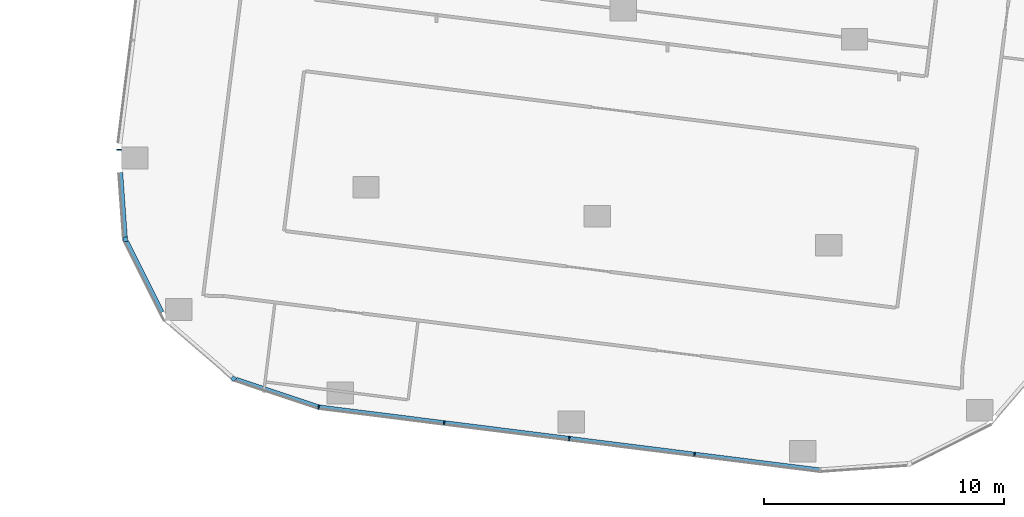
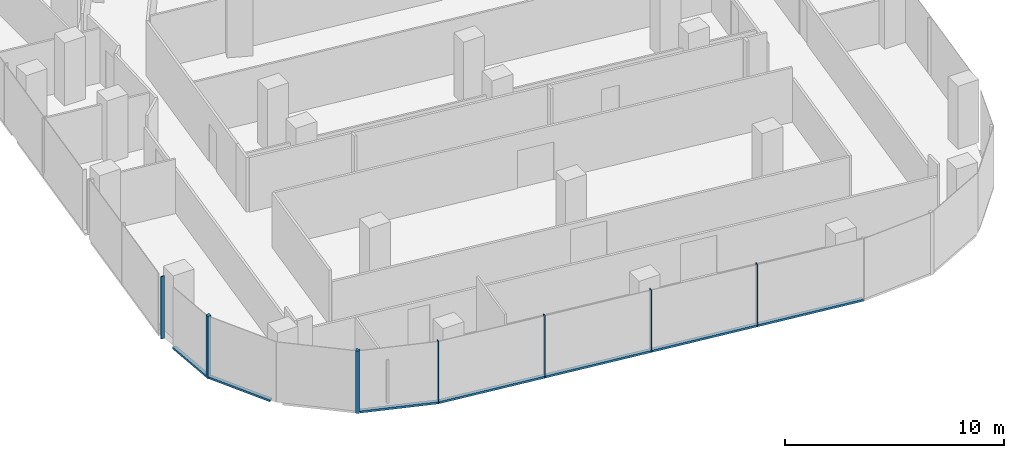
# One storey, part 2 of 27: 11 members, 6 elements without a shape of their own.
"""IFC4 building model written with IfcOpenShell, lengths in metres."""

from ifc_helpers import new_model, si_unit, direction, frame, origin, origin_2d, place, context, subcontext, project, spatial, rectangle, extrude, material, material_profile, profile_set, type_object, element, aggregate, save


model = new_model("IFC4")

# Units and contexts
model_context = context("Model", 3, precision=1e-05, world=origin(), true_north=direction((0.0, 1.0)))
body_context = subcontext(model_context, "Body", "Model", "MODEL_VIEW")
ifc_project = project(units=[si_unit("LENGTHUNIT", "METRE"), si_unit("AREAUNIT", "SQUARE_METRE"), si_unit("VOLUMEUNIT", "CUBIC_METRE"), si_unit("PLANEANGLEUNIT", "RADIAN"), si_unit("MASSUNIT", "GRAM", prefix="KILO")], contexts=[model_context])

# Site, building, storey
site_placement = place(None, origin())
site = spatial("IfcSite", under=ifc_project, at=site_placement, CompositionType="ELEMENT")
building_placement = place(site_placement, origin())
building = spatial("IfcBuilding", under=site, at=building_placement, Name="Orlundy Tower", CompositionType="ELEMENT")
storey_placement = place(building_placement, frame((0.0, 0.0, 199.10009765625)))
storey = spatial("IfcBuildingStorey", under=building, at=storey_placement, Name="L52", CompositionType="ELEMENT", Elevation=199.10009765625)

# Curtain wall, member
ifc_material_1 = material(Name="Aluminium bronze anodised", Category="aluminium")
curtain_wall_type = type_object("IfcCurtainWallType", Name="CW1 wall", PredefinedType="NOTDEFINED", material=ifc_material_1)
curtain_wall_1_placement = place(storey_placement, origin())
curtain_wall_1 = element("IfcCurtainWall", 1, at=curtain_wall_1_placement, inside=storey, type_object=curtain_wall_type, Name="CW1 run 025", PredefinedType="NOTDEFINED")
ifc_material_2 = material(Name="Aluminium bronze anodised", Category="aluminium")
ifc_material_profile_1 = material_profile(ifc_material_2, rectangle(XDim=0.179931640625, YDim=0.179931640625, at=origin_2d()), Name="CW1 corner post 180x180")
ifc_profile_set_1 = profile_set([ifc_material_profile_1], Name="Aluminium bronze anodised")
member_type_1 = type_object("IfcMemberType", Name="CW1 corner post 180x180", PredefinedType="MULLION", material=ifc_profile_set_1)
member_1_placement = place(storey_placement, frame((-21.4033203125, -56.6337890625, -0.420166015625), z_axis=(0.0, 0.0, 1.0), x_axis=(-0.655002428568, -0.755626772005, 0.0)))
member_1 = element("IfcMember", 2, at=member_1_placement, type_object=member_type_1, Name="CW1 mullion 58", PredefinedType="MULLION", context=body_context, shape_type="SweptSolid", body=[
    extrude(rectangle(XDim=0.179931640625, YDim=0.179931640625, at=origin_2d()), origin(), (0.0, 0.0, 1.0), 3.469970703125),
])
aggregate(curtain_wall_1, [member_1])

curtain_wall_2_placement = place(storey_placement, origin())
curtain_wall_2 = element("IfcCurtainWall", 3, at=curtain_wall_2_placement, inside=storey, type_object=curtain_wall_type, Name="CW1 run 027", PredefinedType="NOTDEFINED")
member_2_placement = place(storey_placement, frame((-25.906494140625, -50.836181640625, -0.420166015625), z_axis=(0.0, 0.0, 1.0), x_axis=(-0.997461437469, -0.071208712685, 0.0)))
member_2 = element("IfcMember", 4, at=member_2_placement, type_object=member_type_1, Name="CW1 mullion 60", PredefinedType="MULLION", context=body_context, shape_type="SweptSolid", body=[
    extrude(rectangle(XDim=0.179931640625, YDim=0.179931640625, at=origin_2d()), origin(), (0.0, 0.0, 1.0), 3.469970703125),
])

curtain_wall_3_placement = place(storey_placement, origin())
curtain_wall_3 = element("IfcCurtainWall", 5, at=curtain_wall_3_placement, inside=storey, type_object=curtain_wall_type, Name="CW1 run 00", PredefinedType="NOTDEFINED")
ifc_material_3 = material(Name="Aluminium bronze anodised", Category="aluminium")
ifc_material_profile_2 = material_profile(ifc_material_3, rectangle(XDim=0.179931640625, YDim=0.050048828125, at=origin_2d()), Name="CW1 mullion 50x180")
ifc_profile_set_2 = profile_set([ifc_material_profile_2], Name="Aluminium bronze anodised")
member_type_2 = type_object("IfcMemberType", Name="CW1 mullion 50x180", PredefinedType="MULLION", material=ifc_profile_set_2)
member_3_placement = place(storey_placement, frame((-26.17236328125, -47.111572265625, -0.420166015625), z_axis=(0.0, 0.0, 1.0), x_axis=(-0.999637943834, 0.026906899623, 0.0)))
member_3 = element("IfcMember", 6, at=member_3_placement, type_object=member_type_2, Name="CW1 mullion 1", PredefinedType="MULLION", context=body_context, shape_type="SweptSolid", body=[
    extrude(rectangle(XDim=0.179931640625, YDim=0.050048828125, at=origin_2d()), origin(), (0.0, 0.0, 1.0), 3.469970703125),
])
aggregate(curtain_wall_3, [member_3])

# Curtain wall, members
curtain_wall_4_placement = place(storey_placement, origin())
curtain_wall_4 = element("IfcCurtainWall", 7, at=curtain_wall_4_placement, inside=storey, type_object=curtain_wall_type, Name="CW1 run 023", PredefinedType="NOTDEFINED")
member_4_placement = place(storey_placement, frame((-2.225341796875, -59.779296875, -0.420166015625), z_axis=(0.0, 0.0, 1.0), x_axis=(-0.12476143853, -0.992186768434, 0.0)))
member_4 = element("IfcMember", 8, at=member_4_placement, type_object=member_type_2, Name="CW1 mullion 54", PredefinedType="MULLION", context=body_context, shape_type="SweptSolid", body=[
    extrude(rectangle(XDim=0.179931640625, YDim=0.050048828125, at=origin_2d()), origin(), (0.0, 0.0, 1.0), 3.469970703125),
])
member_5_placement = place(storey_placement, frame((-7.434326171875, -59.124267578125, -0.420166015625), z_axis=(0.0, 0.0, 1.0), x_axis=(-0.12476143853, -0.992186768434, 0.0)))
member_5 = element("IfcMember", 9, at=member_5_placement, type_object=member_type_2, Name="CW1 mullion 55", PredefinedType="MULLION", context=body_context, shape_type="SweptSolid", body=[
    extrude(rectangle(XDim=0.179931640625, YDim=0.050048828125, at=origin_2d()), origin(), (0.0, 0.0, 1.0), 3.469970703125),
])
member_6_placement = place(storey_placement, frame((-12.643310546875, -58.46923828125, -0.420166015625), z_axis=(0.0, 0.0, 1.0), x_axis=(-0.12476143853, -0.992186768434, 0.0)))
member_6 = element("IfcMember", 10, at=member_6_placement, type_object=member_type_2, Name="CW1 mullion 56", PredefinedType="MULLION", context=body_context, shape_type="SweptSolid", body=[
    extrude(rectangle(XDim=0.179931640625, YDim=0.050048828125, at=origin_2d()), origin(), (0.0, 0.0, 1.0), 3.469970703125),
])

# Curtain wall, member
curtain_wall_5_placement = place(storey_placement, origin())
curtain_wall_5 = element("IfcCurtainWall", 11, at=curtain_wall_5_placement, inside=storey, type_object=curtain_wall_type, Name="CW1 run 024", PredefinedType="NOTDEFINED")
member_7_placement = place(storey_placement, frame((-17.861083984375, -57.813232421875, -0.420166015625), z_axis=(0.0, 0.0, 1.0), x_axis=(-0.221398524176, -0.975183415309, 0.0)))
member_7 = element("IfcMember", 12, at=member_7_placement, type_object=member_type_2, Name="CW1 mullion 57", PredefinedType="MULLION", context=body_context, shape_type="SweptSolid", body=[
    extrude(rectangle(XDim=0.179931640625, YDim=0.050048828125, at=origin_2d()), origin(), (0.0, 0.0, 1.0), 3.469970703125),
])

# Member
ifc_material_4 = material(Name="Aluminium bronze anodised", Category="aluminium")
ifc_material_profile_3 = material_profile(ifc_material_4, rectangle(XDim=0.179931640625, YDim=0.1201171875, at=origin_2d()), Name="CW1 transom 180x120")
ifc_profile_set_3 = profile_set([ifc_material_profile_3], Name="Aluminium bronze anodised")
member_type_3 = type_object("IfcMemberType", Name="CW1 transom 180x120", PredefinedType="USERDEFINED", material=ifc_profile_set_3)
member_8_placement = place(storey_placement, frame((2.967529296875, -60.432373046875, -0.360107421875), z_axis=(-0.992186609329, 0.124762703832, 0.0), x_axis=(-0.124762703832, -0.992186609329, 0.0)))
member_8 = element("IfcMember", 13, at=member_8_placement, type_object=member_type_3, Name="CW1 transom", ObjectType="TRANSOM", PredefinedType="USERDEFINED", context=body_context, shape_type="SweptSolid", body=[
    extrude(rectangle(XDim=0.179931640625, YDim=0.1201171875, at=origin_2d()), origin(), (0.0, 0.0, 1.0), 20.967529296875),
])

aggregate(curtain_wall_4, [member_4, member_5, member_6, member_8])

member_9_placement = place(storey_placement, frame((-17.884765625, -57.80517578125, -0.360107421875), z_axis=(-0.948804921466, 0.315862661614, 0.0), x_axis=(-0.315862661614, -0.948804921466, 0.0)))
member_9 = element("IfcMember", 14, at=member_9_placement, type_object=member_type_3, Name="CW1 transom", ObjectType="TRANSOM", PredefinedType="USERDEFINED", context=body_context, shape_type="SweptSolid", body=[
    extrude(rectangle(XDim=0.179931640625, YDim=0.1201171875, at=origin_2d()), origin(), (0.0, 0.0, 1.0), 3.611083984375),
])

aggregate(curtain_wall_5, [member_7, member_9])

# Curtain wall, member
curtain_wall_6_placement = place(storey_placement, origin())
curtain_wall_6 = element("IfcCurtainWall", 15, at=curtain_wall_6_placement, inside=storey, type_object=curtain_wall_type, Name="CW1 run 026", PredefinedType="NOTDEFINED")
member_10_placement = place(storey_placement, frame((-24.385009765625, -53.87548828125, -0.360107421875), z_axis=(-0.447627675266, 0.894220031276, 0.0), x_axis=(-0.894220031276, -0.447627675266, 0.0)))
member_10 = element("IfcMember", 16, at=member_10_placement, type_object=member_type_3, Name="CW1 transom", ObjectType="TRANSOM", PredefinedType="USERDEFINED", context=body_context, shape_type="SweptSolid", body=[
    extrude(rectangle(XDim=0.179931640625, YDim=0.1201171875, at=origin_2d()), origin(), (0.0, 0.0, 1.0), 3.30126953125),
])
aggregate(curtain_wall_6, [member_10])

# Member
member_11_placement = place(storey_placement, frame((-25.912841796875, -50.74658203125, -0.360107421875), z_axis=(-0.071266331494, 0.997457322393, 0.0), x_axis=(-0.997457322393, -0.071266331494, 0.0)))
member_11 = element("IfcMember", 17, at=member_11_placement, type_object=member_type_3, Name="CW1 transom", ObjectType="TRANSOM", PredefinedType="USERDEFINED", context=body_context, shape_type="SweptSolid", body=[
    extrude(rectangle(XDim=0.179931640625, YDim=0.1201171875, at=origin_2d()), origin(), (0.0, 0.0, 1.0), 2.699462890625),
])

aggregate(curtain_wall_2, [member_2, member_11])

save(model, "model.ifc")
